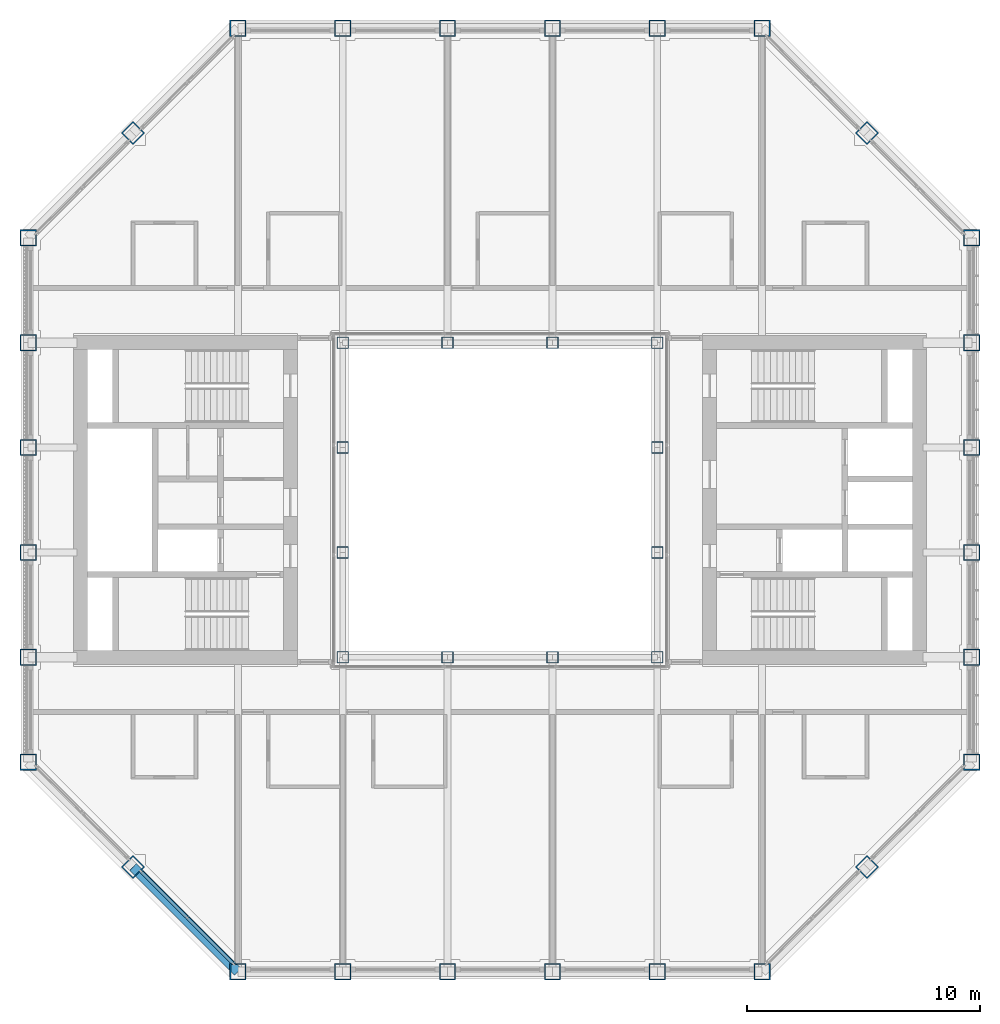
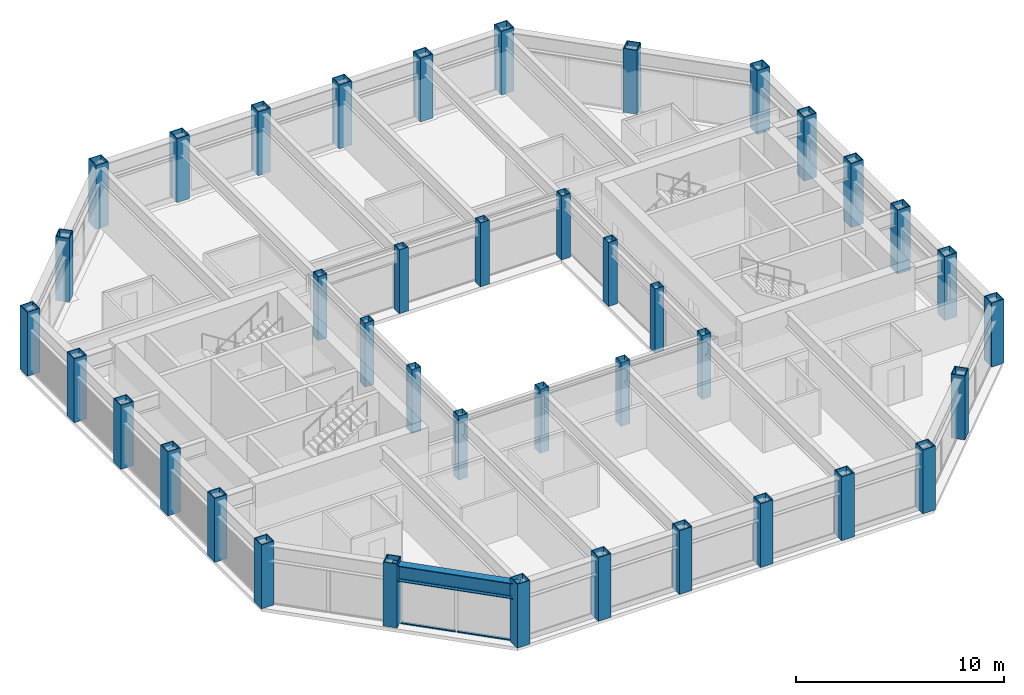
# One storey, part 1 of 16: 40 columns, 4 members, 1 beam, 1 element without a shape of its own.
"""IFC4 building model written with IfcOpenShell, lengths in metres."""

from ifc_helpers import new_model, si_unit, direction, frame, origin, origin_2d, place, context, subcontext, project, spatial, rectangle, hollow_rectangle, i_section, extrude, material, material_profile, profile_set, type_object, element, aggregate, save


model = new_model("IFC4")

# Units and contexts
model_context = context("Model", 3, precision=1e-05, world=origin(), true_north=direction((0.0, 1.0)))
body_context = subcontext(model_context, "Body", "Model", "MODEL_VIEW")
ifc_project = project(units=[si_unit("LENGTHUNIT", "METRE"), si_unit("AREAUNIT", "SQUARE_METRE"), si_unit("VOLUMEUNIT", "CUBIC_METRE"), si_unit("PLANEANGLEUNIT", "RADIAN"), si_unit("MASSUNIT", "GRAM", prefix="KILO")], contexts=[model_context])

# Site, building, storey
site_placement = place(None, origin())
site = spatial("IfcSite", under=ifc_project, at=site_placement, CompositionType="ELEMENT")
building_placement = place(site_placement, origin())
building = spatial("IfcBuilding", under=site, at=building_placement, Name="Msasa Ring Tower", CompositionType="ELEMENT")
storey_placement = place(building_placement, frame((0.0, 0.0, 212.050048828125)))
storey = spatial("IfcBuildingStorey", under=building, at=storey_placement, Name="L55", CompositionType="ELEMENT", Elevation=212.050048828125)

# Columns
ifc_material_1 = material(Name="Steel S355", Category="steel")
ifc_material_profile_1 = material_profile(ifc_material_1, hollow_rectangle(XDim=0.5, YDim=0.5, WallThickness=0.030029296875, at=origin_2d()), Name="BOX 500x500x30")
ifc_profile_set_1 = profile_set([ifc_material_profile_1], Name="Steel S355")
column_type_1 = type_object("IfcColumnType", Name="IC6 BOX 500x500x30", PredefinedType="COLUMN", material=ifc_profile_set_1)
for number, where, z_axis, x_axis, name in (
    (1, (-6.75, -6.75, 0.0), (0.0, 0.0, 1.0), (1.0, 0.0, 0.0), "Inner ring column IR-6.75-6.75 L55"),
    (2, (-6.75, -2.25, 0.0), (0.0, 0.0, 1.0), (1.0, 0.0, 0.0), "Inner ring column IR-6.75-2.25 L55"),
    (3, (-6.75, 2.25, 0.0), (0.0, 0.0, 1.0), (1.0, 0.0, 0.0), "Inner ring column IR-6.75+2.25 L55"),
    (4, (-6.75, 6.75, 0.0), (0.0, 0.0, 1.0), (1.0, 0.0, 0.0), "Inner ring column IR-6.75+6.75 L55"),
    (5, (-2.25, -6.75, 0.0), (0.0, 0.0, 1.0), (1.0, 0.0, 0.0), "Inner ring column IR-2.25-6.75 L55"),
    (6, (-2.25, 6.75, 0.0), (0.0, 0.0, 1.0), (1.0, 0.0, 0.0), "Inner ring column IR-2.25+6.75 L55"),
    (7, (2.25, -6.75, 0.0), (0.0, 0.0, 1.0), (1.0, 0.0, 0.0), "Inner ring column IR+2.25-6.75 L55"),
    (8, (2.25, 6.75, 0.0), (0.0, 0.0, 1.0), (1.0, 0.0, 0.0), "Inner ring column IR+2.25+6.75 L55"),
    (9, (6.75, -6.75, 0.0), (0.0, 0.0, 1.0), (1.0, 0.0, 0.0), "Inner ring column IR+6.75-6.75 L55"),
    (10, (6.75, -2.25, 0.0), (0.0, 0.0, 1.0), (1.0, 0.0, 0.0), "Inner ring column IR+6.75-2.25 L55"),
    (11, (6.75, 2.25, 0.0), (0.0, 0.0, 1.0), (1.0, 0.0, 0.0), "Inner ring column IR+6.75+2.25 L55"),
    (12, (6.75, 6.75, 0.0), (0.0, 0.0, 1.0), (1.0, 0.0, 0.0), "Inner ring column IR+6.75+6.75 L55"),
):
    element("IfcColumn", number, at=place(storey_placement, frame(where, z_axis=z_axis, x_axis=x_axis)), inside=storey, type_object=column_type_1, Name=name, PredefinedType="COLUMN", context=body_context, shape_type="SweptSolid", body=[
        extrude(hollow_rectangle(XDim=0.5, YDim=0.5, WallThickness=0.030029296875, at=origin_2d()), origin(), (0.0, 0.0, 1.0), 3.75),
    ])
ifc_material_2 = material(Name="Steel S355", Category="steel")
ifc_material_profile_2 = material_profile(ifc_material_2, hollow_rectangle(XDim=0.699951171875, YDim=0.699951171875, WallThickness=0.044921875, at=origin_2d()), Name="BOX 700x700x45")
ifc_profile_set_2 = profile_set([ifc_material_profile_2], Name="Steel S355")
column_type_2 = type_object("IfcColumnType", Name="TC6 BOX 700x700x45", PredefinedType="COLUMN", material=ifc_profile_set_2)
for number, where, z_axis, x_axis, name in (
    (13, (-11.25, -20.25, 0.0), (0.0, 0.0, 1.0), (0.0, 1.0, 0.0), "Tube column S-11.25 L55"),
    (14, (-11.25, 20.25, 0.0), (0.0, 0.0, 1.0), (0.0, 1.0, 0.0), "Tube column N-11.25 L55"),
    (15, (20.25, -11.25, 0.0), (0.0, 0.0, 1.0), (1.0, 0.0, 0.0), "Tube column E-11.25 L55"),
    (16, (-20.25, -11.25, 0.0), (0.0, 0.0, 1.0), (1.0, 0.0, 0.0), "Tube column W-11.25 L55"),
    (17, (-6.75, -20.25, 0.0), (0.0, 0.0, 1.0), (0.0, 1.0, 0.0), "Tube column S-6.75 L55"),
    (18, (-6.75, 20.25, 0.0), (0.0, 0.0, 1.0), (0.0, 1.0, 0.0), "Tube column N-6.75 L55"),
    (19, (20.25, -6.75, 0.0), (0.0, 0.0, 1.0), (1.0, 0.0, 0.0), "Tube column E-6.75 L55"),
    (20, (-20.25, -6.75, 0.0), (0.0, 0.0, 1.0), (1.0, 0.0, 0.0), "Tube column W-6.75 L55"),
    (21, (-2.25, -20.25, 0.0), (0.0, 0.0, 1.0), (0.0, 1.0, 0.0), "Tube column S-2.25 L55"),
    (22, (-2.25, 20.25, 0.0), (0.0, 0.0, 1.0), (0.0, 1.0, 0.0), "Tube column N-2.25 L55"),
    (23, (20.25, -2.25, 0.0), (0.0, 0.0, 1.0), (1.0, 0.0, 0.0), "Tube column E-2.25 L55"),
    (24, (-20.25, -2.25, 0.0), (0.0, 0.0, 1.0), (1.0, 0.0, 0.0), "Tube column W-2.25 L55"),
    (25, (2.25, -20.25, 0.0), (0.0, 0.0, 1.0), (0.0, 1.0, 0.0), "Tube column S+2.25 L55"),
    (26, (2.25, 20.25, 0.0), (0.0, 0.0, 1.0), (0.0, 1.0, 0.0), "Tube column N+2.25 L55"),
    (27, (20.25, 2.25, 0.0), (0.0, 0.0, 1.0), (1.0, 0.0, 0.0), "Tube column E+2.25 L55"),
    (28, (-20.25, 2.25, 0.0), (0.0, 0.0, 1.0), (1.0, 0.0, 0.0), "Tube column W+2.25 L55"),
    (29, (6.75, -20.25, 0.0), (0.0, 0.0, 1.0), (0.0, 1.0, 0.0), "Tube column S+6.75 L55"),
    (30, (6.75, 20.25, 0.0), (0.0, 0.0, 1.0), (0.0, 1.0, 0.0), "Tube column N+6.75 L55"),
    (31, (20.25, 6.75, 0.0), (0.0, 0.0, 1.0), (1.0, 0.0, 0.0), "Tube column E+6.75 L55"),
    (32, (-20.25, 6.75, 0.0), (0.0, 0.0, 1.0), (1.0, 0.0, 0.0), "Tube column W+6.75 L55"),
    (33, (11.25, -20.25, 0.0), (0.0, 0.0, 1.0), (0.0, 1.0, 0.0), "Tube column S+11.25 L55"),
    (34, (11.25, 20.25, 0.0), (0.0, 0.0, 1.0), (0.0, 1.0, 0.0), "Tube column N+11.25 L55"),
    (35, (20.25, 11.25, 0.0), (0.0, 0.0, 1.0), (1.0, 0.0, 0.0), "Tube column E+11.25 L55"),
    (36, (-20.25, 11.25, 0.0), (0.0, 0.0, 1.0), (1.0, 0.0, 0.0), "Tube column W+11.25 L55"),
    (37, (15.75, -15.75, 0.0), (0.0, 0.0, 1.0), (0.707106781187, -0.707106781187, 0.0), "Tube column SE L55"),
    (38, (15.75, 15.75, 0.0), (0.0, 0.0, 1.0), (0.707106781187, 0.707106781187, 0.0), "Tube column NE L55"),
    (39, (-15.75, 15.75, 0.0), (0.0, 0.0, 1.0), (0.707106781187, -0.707106781187, 0.0), "Tube column NW L55"),
    (40, (-15.75, -15.75, 0.0), (0.0, 0.0, 1.0), (0.707106781187, 0.707106781187, 0.0), "Tube column SW L55"),
):
    element("IfcColumn", number, at=place(storey_placement, frame(where, z_axis=z_axis, x_axis=x_axis)), inside=storey, type_object=column_type_2, Name=name, PredefinedType="COLUMN", context=body_context, shape_type="SweptSolid", body=[
        extrude(hollow_rectangle(XDim=0.699951171875, YDim=0.699951171875, WallThickness=0.044921875, at=origin_2d()), origin(), (0.0, 0.0, 1.0), 3.75),
    ])

# Curtain wall, members
ifc_material_3 = material(Name="Aluminium curtain wall with clear glass", Category="aluminium")
curtain_wall_type = type_object("IfcCurtainWallType", Name="CW-C CHAMFER CORNER CURTAIN WALL", PredefinedType="NOTDEFINED", material=ifc_material_3)
curtain_wall_placement = place(storey_placement, origin())
curtain_wall = element("IfcCurtainWall", 41, at=curtain_wall_placement, inside=storey, type_object=curtain_wall_type, Name="Chamfer corner curtain wall SW L55", PredefinedType="NOTDEFINED")
ifc_material_4 = material(Name="Aluminium transom", Category="aluminium")
ifc_material_profile_3 = material_profile(ifc_material_4, rectangle(XDim=0.139892578125, YDim=0.06494140625, at=origin_2d()), Name="AL 65x140")
ifc_profile_set_3 = profile_set([ifc_material_profile_3], Name="Aluminium transom")
member_type = type_object("IfcMemberType", Name="CW-C TRANSOM 65x140", PredefinedType="USERDEFINED", material=ifc_profile_set_3)
member_1_placement = place(storey_placement, frame((-15.38232421875, -15.976318359375, 0.032470703125), z_axis=(0.707106781187, -0.707106781187, 0.0), x_axis=(0.707106781187, 0.707106781187, 0.0)))
member_1 = element("IfcMember", 42, at=member_1_placement, type_object=member_type, Name="CW-C transom 1.1", ObjectType="TRANSOM", PredefinedType="USERDEFINED", context=body_context, shape_type="SweptSolid", body=[
    extrude(rectangle(XDim=0.139892578125, YDim=0.06494140625, at=origin_2d()), origin(), (0.0, 0.0, 1.0), 2.729248046875),
])
member_2_placement = place(storey_placement, frame((-15.38232421875, -15.976318359375, 2.596435546875), z_axis=(0.707106781187, -0.707106781187, 0.0), x_axis=(0.707106781187, 0.707106781187, 0.0)))
member_2 = element("IfcMember", 43, at=member_2_placement, type_object=member_type, Name="CW-C transom 1.2", ObjectType="TRANSOM", PredefinedType="USERDEFINED", context=body_context, shape_type="SweptSolid", body=[
    extrude(rectangle(XDim=0.139892578125, YDim=0.06494140625, at=origin_2d()), origin(), (0.0, 0.0, 1.0), 2.729248046875),
])
member_3_placement = place(storey_placement, frame((-13.40625, -17.952392578125, 0.032470703125), z_axis=(0.707106781187, -0.707106781187, 0.0), x_axis=(0.707106781187, 0.707106781187, 0.0)))
member_3 = element("IfcMember", 44, at=member_3_placement, type_object=member_type, Name="CW-C transom 2.1", ObjectType="TRANSOM", PredefinedType="USERDEFINED", context=body_context, shape_type="SweptSolid", body=[
    extrude(rectangle(XDim=0.139892578125, YDim=0.06494140625, at=origin_2d()), origin(), (0.0, 0.0, 1.0), 2.729248046875),
])
member_4_placement = place(storey_placement, frame((-13.40625, -17.952392578125, 2.596435546875), z_axis=(0.707106781187, -0.707106781187, 0.0), x_axis=(0.707106781187, 0.707106781187, 0.0)))
member_4 = element("IfcMember", 45, at=member_4_placement, type_object=member_type, Name="CW-C transom 2.2", ObjectType="TRANSOM", PredefinedType="USERDEFINED", context=body_context, shape_type="SweptSolid", body=[
    extrude(rectangle(XDim=0.139892578125, YDim=0.06494140625, at=origin_2d()), origin(), (0.0, 0.0, 1.0), 2.729248046875),
])
aggregate(curtain_wall, [member_1, member_2, member_3, member_4])

# Beam
ifc_material_5 = material(Name="Steel S355", Category="steel")
ifc_material_profile_4 = material_profile(ifc_material_5, i_section(OverallWidth=0.42041015625, OverallDepth=0.9208984375, WebThickness=0.021484375, FlangeThickness=0.03662109375, FilletRadius=0.024169921875, at=origin_2d()), Name="UB 914x419x388")
ifc_profile_set_4 = profile_set([ifc_material_profile_4], Name="Steel S355")
beam_type = type_object("IfcBeamType", Name="SB1 UB 914x419x388", PredefinedType="SPANDREL", material=ifc_profile_set_4)
beam_placement = place(storey_placement, frame((-15.75, -15.75, 3.08935546875), z_axis=(0.707106781187, -0.707106781187, 0.0), x_axis=(0.707106781187, 0.707106781187, 0.0)))
element("IfcBeam", 46, at=beam_placement, inside=storey, type_object=beam_type, Name="Spandrel SW to S-11.25 under L56", PredefinedType="SPANDREL", context=body_context, shape_type="SweptSolid", body=[
    extrude(i_section(OverallWidth=0.42041015625, OverallDepth=0.9208984375, WebThickness=0.021484375, FlangeThickness=0.03662109375, FilletRadius=0.024169921875, at=origin_2d()), origin(), (0.0, 0.0, 1.0), 6.364013671875),
])

save(model, "model.ifc")
